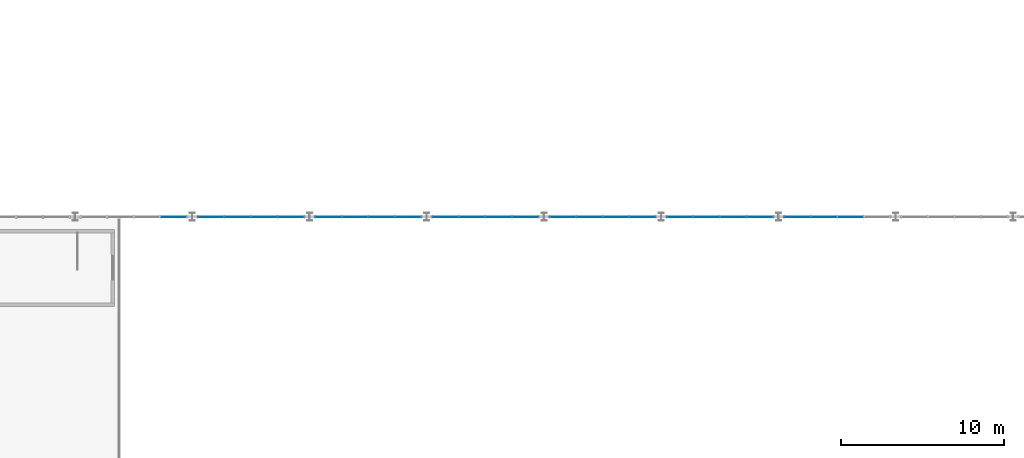
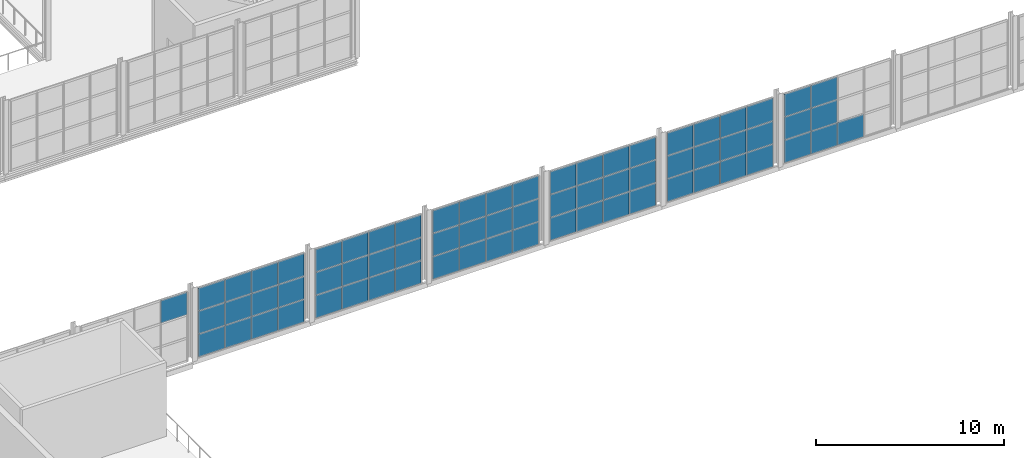
# One storey, part 106 of 143: 68 plates, 7 elements without a shape of their own.
"""IFC4 building model written with IfcOpenShell, lengths in metres."""

from ifc_helpers import new_model, si_unit, derived_unit, direction, frame, origin, origin_2d, place, context, subcontext, project, spatial, rectangle, extrude, material, layer, layer_set, type_object, element, aggregate, save


model = new_model("IFC4")

# Units and contexts
model_context = context("Model", 3, precision=1e-05, world=origin(), true_north=direction((0.0, 1.0)))
body_context = subcontext(model_context, "Body", "Model", "MODEL_VIEW")
ifc_project = project(units=[si_unit("LENGTHUNIT", "METRE"), si_unit("AREAUNIT", "SQUARE_METRE"), si_unit("VOLUMEUNIT", "CUBIC_METRE"), si_unit("PLANEANGLEUNIT", "RADIAN"), si_unit("MASSUNIT", "GRAM", prefix="KILO"), derived_unit("THERMALTRANSMITTANCEUNIT", [(si_unit("POWERUNIT", "WATT"), 1), (si_unit("LENGTHUNIT", "METRE"), -2), (si_unit("THERMODYNAMICTEMPERATUREUNIT", "KELVIN"), -1)])], contexts=[model_context])

# Site, building, storey
site_placement = place(None, origin())
site = spatial("IfcSite", under=ifc_project, at=site_placement, CompositionType="ELEMENT")
building_placement = place(site_placement, origin())
building = spatial("IfcBuilding", under=site, at=building_placement, Name="Keldorne Ridge Multi-Sports Centre", CompositionType="ELEMENT")
storey_placement = place(building_placement, frame((0.0, 0.0, 4.800048828125)))
storey = spatial("IfcBuildingStorey", under=building, at=storey_placement, Name="L01", CompositionType="ELEMENT", Elevation=4.800048828125)

# Curtain wall, plate
ifc_material_1 = material(Name="Anodized aluminium", Category="aluminium")
curtain_wall_type_1 = type_object("IfcCurtainWallType", Name="CW-CW-06", PredefinedType="NOTDEFINED", material=ifc_material_1)
curtain_wall_1_placement = place(storey_placement, origin())
curtain_wall_1 = element("IfcCurtainWall", 1, at=curtain_wall_1_placement, inside=storey, type_object=curtain_wall_type_1, Name="Main Hall north clerestory curtain wall 006", PredefinedType="NOTDEFINED")
ifc_material_2 = material(Name="Double low-e insulated glazing", Category="glass")
ifc_layer = layer(ifc_material_2, 0.035888671875)
ifc_layer_set = layer_set([ifc_layer])
plate_type = type_object("IfcPlateType", Name="PLT-GL-01", PredefinedType="CURTAIN_PANEL", material=ifc_layer_set)
plate_1_placement = place(storey_placement, frame((19.2451171875, 54.0, 3.02001953125), z_axis=(0.0, 0.0, 1.0), x_axis=(-1.0, 0.0, 0.0)))
plate_1 = element("IfcPlate", 2, at=plate_1_placement, type_object=plate_type, Name="CW-006 glazed panel 1.3", PredefinedType="CURTAIN_PANEL", context=body_context, shape_type="SweptSolid", body=[
    extrude(rectangle(XDim=1.590087890625, YDim=0.035888671875, at=origin_2d()), origin(), (0.0, 0.0, 1.0), 1.4599609375),
])
aggregate(curtain_wall_1, [plate_1])

# Curtain wall, plates
curtain_wall_type_2 = type_object("IfcCurtainWallType", Name="CW-CW-01", PredefinedType="NOTDEFINED", material=ifc_material_1)
curtain_wall_2_placement = place(storey_placement, origin())
curtain_wall_2 = element("IfcCurtainWall", 3, at=curtain_wall_2_placement, inside=storey, type_object=curtain_wall_type_2, Name="Main Hall north clerestory curtain wall 009", PredefinedType="NOTDEFINED")
plate_2_placement = place(storey_placement, frame((26.445068359375, 54.0, 0.02001953125), z_axis=(0.0, 0.0, 1.0), x_axis=(-1.0, 0.0, 0.0)))
plate_2 = element("IfcPlate", 4, at=plate_2_placement, type_object=plate_type, Name="CW-009 glazed panel 1.1", PredefinedType="CURTAIN_PANEL", context=body_context, shape_type="SweptSolid", body=[
    extrude(rectangle(XDim=1.590087890625, YDim=0.035888671875, at=origin_2d()), origin(), (0.0, 0.0, 1.0), 1.4599609375),
])
plate_3_placement = place(storey_placement, frame((26.445068359375, 54.0, 1.52001953125), z_axis=(0.0, 0.0, 1.0), x_axis=(-1.0, 0.0, 0.0)))
plate_3 = element("IfcPlate", 5, at=plate_3_placement, type_object=plate_type, Name="CW-009 glazed panel 1.2", PredefinedType="CURTAIN_PANEL", context=body_context, shape_type="SweptSolid", body=[
    extrude(rectangle(XDim=1.590087890625, YDim=0.035888671875, at=origin_2d()), origin(), (0.0, 0.0, 1.0), 1.4599609375),
])
plate_4_placement = place(storey_placement, frame((26.445068359375, 54.0, 3.02001953125), z_axis=(0.0, 0.0, 1.0), x_axis=(-1.0, 0.0, 0.0)))
plate_4 = element("IfcPlate", 6, at=plate_4_placement, type_object=plate_type, Name="CW-009 glazed panel 1.3", PredefinedType="CURTAIN_PANEL", context=body_context, shape_type="SweptSolid", body=[
    extrude(rectangle(XDim=1.590087890625, YDim=0.035888671875, at=origin_2d()), origin(), (0.0, 0.0, 1.0), 1.4599609375),
])
plate_5_placement = place(storey_placement, frame((24.81494140625, 54.0, 0.02001953125), z_axis=(0.0, 0.0, 1.0), x_axis=(-1.0, 0.0, 0.0)))
plate_5 = element("IfcPlate", 7, at=plate_5_placement, type_object=plate_type, Name="CW-009 glazed panel 2.1", PredefinedType="CURTAIN_PANEL", context=body_context, shape_type="SweptSolid", body=[
    extrude(rectangle(XDim=1.590087890625, YDim=0.035888671875, at=origin_2d()), origin(), (0.0, 0.0, 1.0), 1.4599609375),
])
plate_6_placement = place(storey_placement, frame((24.81494140625, 54.0, 1.52001953125), z_axis=(0.0, 0.0, 1.0), x_axis=(-1.0, 0.0, 0.0)))
plate_6 = element("IfcPlate", 8, at=plate_6_placement, type_object=plate_type, Name="CW-009 glazed panel 2.2", PredefinedType="CURTAIN_PANEL", context=body_context, shape_type="SweptSolid", body=[
    extrude(rectangle(XDim=1.590087890625, YDim=0.035888671875, at=origin_2d()), origin(), (0.0, 0.0, 1.0), 1.4599609375),
])
plate_7_placement = place(storey_placement, frame((24.81494140625, 54.0, 3.02001953125), z_axis=(0.0, 0.0, 1.0), x_axis=(-1.0, 0.0, 0.0)))
plate_7 = element("IfcPlate", 9, at=plate_7_placement, type_object=plate_type, Name="CW-009 glazed panel 2.3", PredefinedType="CURTAIN_PANEL", context=body_context, shape_type="SweptSolid", body=[
    extrude(rectangle(XDim=1.590087890625, YDim=0.035888671875, at=origin_2d()), origin(), (0.0, 0.0, 1.0), 1.4599609375),
])
plate_8_placement = place(storey_placement, frame((23.18505859375, 54.0, 0.02001953125), z_axis=(0.0, 0.0, 1.0), x_axis=(-1.0, 0.0, 0.0)))
plate_8 = element("IfcPlate", 10, at=plate_8_placement, type_object=plate_type, Name="CW-009 glazed panel 3.1", PredefinedType="CURTAIN_PANEL", context=body_context, shape_type="SweptSolid", body=[
    extrude(rectangle(XDim=1.590087890625, YDim=0.035888671875, at=origin_2d()), origin(), (0.0, 0.0, 1.0), 1.4599609375),
])
plate_9_placement = place(storey_placement, frame((23.18505859375, 54.0, 1.52001953125), z_axis=(0.0, 0.0, 1.0), x_axis=(-1.0, 0.0, 0.0)))
plate_9 = element("IfcPlate", 11, at=plate_9_placement, type_object=plate_type, Name="CW-009 glazed panel 3.2", PredefinedType="CURTAIN_PANEL", context=body_context, shape_type="SweptSolid", body=[
    extrude(rectangle(XDim=1.590087890625, YDim=0.035888671875, at=origin_2d()), origin(), (0.0, 0.0, 1.0), 1.4599609375),
])
plate_10_placement = place(storey_placement, frame((23.18505859375, 54.0, 3.02001953125), z_axis=(0.0, 0.0, 1.0), x_axis=(-1.0, 0.0, 0.0)))
plate_10 = element("IfcPlate", 12, at=plate_10_placement, type_object=plate_type, Name="CW-009 glazed panel 3.3", PredefinedType="CURTAIN_PANEL", context=body_context, shape_type="SweptSolid", body=[
    extrude(rectangle(XDim=1.590087890625, YDim=0.035888671875, at=origin_2d()), origin(), (0.0, 0.0, 1.0), 1.4599609375),
])
plate_11_placement = place(storey_placement, frame((21.554931640625, 54.0, 0.02001953125), z_axis=(0.0, 0.0, 1.0), x_axis=(-1.0, 0.0, 0.0)))
plate_11 = element("IfcPlate", 13, at=plate_11_placement, type_object=plate_type, Name="CW-009 glazed panel 4.1", PredefinedType="CURTAIN_PANEL", context=body_context, shape_type="SweptSolid", body=[
    extrude(rectangle(XDim=1.590087890625, YDim=0.035888671875, at=origin_2d()), origin(), (0.0, 0.0, 1.0), 1.4599609375),
])
plate_12_placement = place(storey_placement, frame((21.554931640625, 54.0, 1.52001953125), z_axis=(0.0, 0.0, 1.0), x_axis=(-1.0, 0.0, 0.0)))
plate_12 = element("IfcPlate", 14, at=plate_12_placement, type_object=plate_type, Name="CW-009 glazed panel 4.2", PredefinedType="CURTAIN_PANEL", context=body_context, shape_type="SweptSolid", body=[
    extrude(rectangle(XDim=1.590087890625, YDim=0.035888671875, at=origin_2d()), origin(), (0.0, 0.0, 1.0), 1.4599609375),
])
plate_13_placement = place(storey_placement, frame((21.554931640625, 54.0, 3.02001953125), z_axis=(0.0, 0.0, 1.0), x_axis=(-1.0, 0.0, 0.0)))
plate_13 = element("IfcPlate", 15, at=plate_13_placement, type_object=plate_type, Name="CW-009 glazed panel 4.3", PredefinedType="CURTAIN_PANEL", context=body_context, shape_type="SweptSolid", body=[
    extrude(rectangle(XDim=1.590087890625, YDim=0.035888671875, at=origin_2d()), origin(), (0.0, 0.0, 1.0), 1.4599609375),
])
aggregate(curtain_wall_2, [plate_2, plate_3, plate_4, plate_5, plate_6, plate_7, plate_8, plate_9, plate_10, plate_11, plate_12, plate_13])

curtain_wall_type_3 = type_object("IfcCurtainWallType", Name="CW-CW-04", PredefinedType="NOTDEFINED", material=ifc_material_1)
curtain_wall_3_placement = place(storey_placement, origin())
curtain_wall_3 = element("IfcCurtainWall", 16, at=curtain_wall_3_placement, inside=storey, type_object=curtain_wall_type_3, Name="Main Hall north clerestory curtain wall 012", PredefinedType="NOTDEFINED")
plate_14_placement = place(storey_placement, frame((33.64501953125, 54.0, 0.02001953125), z_axis=(0.0, 0.0, 1.0), x_axis=(-1.0, 0.0, 0.0)))
plate_14 = element("IfcPlate", 17, at=plate_14_placement, type_object=plate_type, Name="CW-012 glazed panel 1.1", PredefinedType="CURTAIN_PANEL", context=body_context, shape_type="SweptSolid", body=[
    extrude(rectangle(XDim=1.590087890625, YDim=0.035888671875, at=origin_2d()), origin(), (0.0, 0.0, 1.0), 1.4599609375),
])
plate_15_placement = place(storey_placement, frame((33.64501953125, 54.0, 1.52001953125), z_axis=(0.0, 0.0, 1.0), x_axis=(-1.0, 0.0, 0.0)))
plate_15 = element("IfcPlate", 18, at=plate_15_placement, type_object=plate_type, Name="CW-012 glazed panel 1.2", PredefinedType="CURTAIN_PANEL", context=body_context, shape_type="SweptSolid", body=[
    extrude(rectangle(XDim=1.590087890625, YDim=0.035888671875, at=origin_2d()), origin(), (0.0, 0.0, 1.0), 1.4599609375),
])
plate_16_placement = place(storey_placement, frame((33.64501953125, 54.0, 3.02001953125), z_axis=(0.0, 0.0, 1.0), x_axis=(-1.0, 0.0, 0.0)))
plate_16 = element("IfcPlate", 19, at=plate_16_placement, type_object=plate_type, Name="CW-012 glazed panel 1.3", PredefinedType="CURTAIN_PANEL", context=body_context, shape_type="SweptSolid", body=[
    extrude(rectangle(XDim=1.590087890625, YDim=0.035888671875, at=origin_2d()), origin(), (0.0, 0.0, 1.0), 1.4599609375),
])
plate_17_placement = place(storey_placement, frame((32.014892578125, 54.0, 0.02001953125), z_axis=(0.0, 0.0, 1.0), x_axis=(-1.0, 0.0, 0.0)))
plate_17 = element("IfcPlate", 20, at=plate_17_placement, type_object=plate_type, Name="CW-012 glazed panel 2.1", PredefinedType="CURTAIN_PANEL", context=body_context, shape_type="SweptSolid", body=[
    extrude(rectangle(XDim=1.590087890625, YDim=0.035888671875, at=origin_2d()), origin(), (0.0, 0.0, 1.0), 1.4599609375),
])
plate_18_placement = place(storey_placement, frame((32.014892578125, 54.0, 1.52001953125), z_axis=(0.0, 0.0, 1.0), x_axis=(-1.0, 0.0, 0.0)))
plate_18 = element("IfcPlate", 21, at=plate_18_placement, type_object=plate_type, Name="CW-012 glazed panel 2.2", PredefinedType="CURTAIN_PANEL", context=body_context, shape_type="SweptSolid", body=[
    extrude(rectangle(XDim=1.590087890625, YDim=0.035888671875, at=origin_2d()), origin(), (0.0, 0.0, 1.0), 1.4599609375),
])
plate_19_placement = place(storey_placement, frame((32.014892578125, 54.0, 3.02001953125), z_axis=(0.0, 0.0, 1.0), x_axis=(-1.0, 0.0, 0.0)))
plate_19 = element("IfcPlate", 22, at=plate_19_placement, type_object=plate_type, Name="CW-012 glazed panel 2.3", PredefinedType="CURTAIN_PANEL", context=body_context, shape_type="SweptSolid", body=[
    extrude(rectangle(XDim=1.590087890625, YDim=0.035888671875, at=origin_2d()), origin(), (0.0, 0.0, 1.0), 1.4599609375),
])
plate_20_placement = place(storey_placement, frame((30.385009765625, 54.0, 0.02001953125), z_axis=(0.0, 0.0, 1.0), x_axis=(-1.0, 0.0, 0.0)))
plate_20 = element("IfcPlate", 23, at=plate_20_placement, type_object=plate_type, Name="CW-012 glazed panel 3.1", PredefinedType="CURTAIN_PANEL", context=body_context, shape_type="SweptSolid", body=[
    extrude(rectangle(XDim=1.590087890625, YDim=0.035888671875, at=origin_2d()), origin(), (0.0, 0.0, 1.0), 1.4599609375),
])
plate_21_placement = place(storey_placement, frame((30.385009765625, 54.0, 1.52001953125), z_axis=(0.0, 0.0, 1.0), x_axis=(-1.0, 0.0, 0.0)))
plate_21 = element("IfcPlate", 24, at=plate_21_placement, type_object=plate_type, Name="CW-012 glazed panel 3.2", PredefinedType="CURTAIN_PANEL", context=body_context, shape_type="SweptSolid", body=[
    extrude(rectangle(XDim=1.590087890625, YDim=0.035888671875, at=origin_2d()), origin(), (0.0, 0.0, 1.0), 1.4599609375),
])
plate_22_placement = place(storey_placement, frame((30.385009765625, 54.0, 3.02001953125), z_axis=(0.0, 0.0, 1.0), x_axis=(-1.0, 0.0, 0.0)))
plate_22 = element("IfcPlate", 25, at=plate_22_placement, type_object=plate_type, Name="CW-012 glazed panel 3.3", PredefinedType="CURTAIN_PANEL", context=body_context, shape_type="SweptSolid", body=[
    extrude(rectangle(XDim=1.590087890625, YDim=0.035888671875, at=origin_2d()), origin(), (0.0, 0.0, 1.0), 1.4599609375),
])
plate_23_placement = place(storey_placement, frame((28.7548828125, 54.0, 0.02001953125), z_axis=(0.0, 0.0, 1.0), x_axis=(-1.0, 0.0, 0.0)))
plate_23 = element("IfcPlate", 26, at=plate_23_placement, type_object=plate_type, Name="CW-012 glazed panel 4.1", PredefinedType="CURTAIN_PANEL", context=body_context, shape_type="SweptSolid", body=[
    extrude(rectangle(XDim=1.590087890625, YDim=0.035888671875, at=origin_2d()), origin(), (0.0, 0.0, 1.0), 1.4599609375),
])
plate_24_placement = place(storey_placement, frame((28.7548828125, 54.0, 1.52001953125), z_axis=(0.0, 0.0, 1.0), x_axis=(-1.0, 0.0, 0.0)))
plate_24 = element("IfcPlate", 27, at=plate_24_placement, type_object=plate_type, Name="CW-012 glazed panel 4.2", PredefinedType="CURTAIN_PANEL", context=body_context, shape_type="SweptSolid", body=[
    extrude(rectangle(XDim=1.590087890625, YDim=0.035888671875, at=origin_2d()), origin(), (0.0, 0.0, 1.0), 1.4599609375),
])
plate_25_placement = place(storey_placement, frame((28.7548828125, 54.0, 3.02001953125), z_axis=(0.0, 0.0, 1.0), x_axis=(-1.0, 0.0, 0.0)))
plate_25 = element("IfcPlate", 28, at=plate_25_placement, type_object=plate_type, Name="CW-012 glazed panel 4.3", PredefinedType="CURTAIN_PANEL", context=body_context, shape_type="SweptSolid", body=[
    extrude(rectangle(XDim=1.590087890625, YDim=0.035888671875, at=origin_2d()), origin(), (0.0, 0.0, 1.0), 1.4599609375),
])
aggregate(curtain_wall_3, [plate_14, plate_15, plate_16, plate_17, plate_18, plate_19, plate_20, plate_21, plate_22, plate_23, plate_24, plate_25])

curtain_wall_4_placement = place(storey_placement, origin())
curtain_wall_4 = element("IfcCurtainWall", 29, at=curtain_wall_4_placement, inside=storey, type_object=curtain_wall_type_1, Name="Main Hall north clerestory curtain wall 014", PredefinedType="NOTDEFINED")
plate_26_placement = place(storey_placement, frame((40.844970703125, 54.0, 0.02001953125), z_axis=(0.0, 0.0, 1.0), x_axis=(-1.0, 0.0, 0.0)))
plate_26 = element("IfcPlate", 30, at=plate_26_placement, type_object=plate_type, Name="CW-014 glazed panel 1.1", PredefinedType="CURTAIN_PANEL", context=body_context, shape_type="SweptSolid", body=[
    extrude(rectangle(XDim=1.590087890625, YDim=0.035888671875, at=origin_2d()), origin(), (0.0, 0.0, 1.0), 1.4599609375),
])
plate_27_placement = place(storey_placement, frame((40.844970703125, 54.0, 1.52001953125), z_axis=(0.0, 0.0, 1.0), x_axis=(-1.0, 0.0, 0.0)))
plate_27 = element("IfcPlate", 31, at=plate_27_placement, type_object=plate_type, Name="CW-014 glazed panel 1.2", PredefinedType="CURTAIN_PANEL", context=body_context, shape_type="SweptSolid", body=[
    extrude(rectangle(XDim=1.590087890625, YDim=0.035888671875, at=origin_2d()), origin(), (0.0, 0.0, 1.0), 1.4599609375),
])
plate_28_placement = place(storey_placement, frame((40.844970703125, 54.0, 3.02001953125), z_axis=(0.0, 0.0, 1.0), x_axis=(-1.0, 0.0, 0.0)))
plate_28 = element("IfcPlate", 32, at=plate_28_placement, type_object=plate_type, Name="CW-014 glazed panel 1.3", PredefinedType="CURTAIN_PANEL", context=body_context, shape_type="SweptSolid", body=[
    extrude(rectangle(XDim=1.590087890625, YDim=0.035888671875, at=origin_2d()), origin(), (0.0, 0.0, 1.0), 1.4599609375),
])
plate_29_placement = place(storey_placement, frame((39.215087890625, 54.0, 0.02001953125), z_axis=(0.0, 0.0, 1.0), x_axis=(-1.0, 0.0, 0.0)))
plate_29 = element("IfcPlate", 33, at=plate_29_placement, type_object=plate_type, Name="CW-014 glazed panel 2.1", PredefinedType="CURTAIN_PANEL", context=body_context, shape_type="SweptSolid", body=[
    extrude(rectangle(XDim=1.590087890625, YDim=0.035888671875, at=origin_2d()), origin(), (0.0, 0.0, 1.0), 1.4599609375),
])
plate_30_placement = place(storey_placement, frame((39.215087890625, 54.0, 1.52001953125), z_axis=(0.0, 0.0, 1.0), x_axis=(-1.0, 0.0, 0.0)))
plate_30 = element("IfcPlate", 34, at=plate_30_placement, type_object=plate_type, Name="CW-014 glazed panel 2.2", PredefinedType="CURTAIN_PANEL", context=body_context, shape_type="SweptSolid", body=[
    extrude(rectangle(XDim=1.590087890625, YDim=0.035888671875, at=origin_2d()), origin(), (0.0, 0.0, 1.0), 1.4599609375),
])
plate_31_placement = place(storey_placement, frame((39.215087890625, 54.0, 3.02001953125), z_axis=(0.0, 0.0, 1.0), x_axis=(-1.0, 0.0, 0.0)))
plate_31 = element("IfcPlate", 35, at=plate_31_placement, type_object=plate_type, Name="CW-014 glazed panel 2.3", PredefinedType="CURTAIN_PANEL", context=body_context, shape_type="SweptSolid", body=[
    extrude(rectangle(XDim=1.590087890625, YDim=0.035888671875, at=origin_2d()), origin(), (0.0, 0.0, 1.0), 1.4599609375),
])
plate_32_placement = place(storey_placement, frame((37.5849609375, 54.0, 0.02001953125), z_axis=(0.0, 0.0, 1.0), x_axis=(-1.0, 0.0, 0.0)))
plate_32 = element("IfcPlate", 36, at=plate_32_placement, type_object=plate_type, Name="CW-014 glazed panel 3.1", PredefinedType="CURTAIN_PANEL", context=body_context, shape_type="SweptSolid", body=[
    extrude(rectangle(XDim=1.590087890625, YDim=0.035888671875, at=origin_2d()), origin(), (0.0, 0.0, 1.0), 1.4599609375),
])
plate_33_placement = place(storey_placement, frame((37.5849609375, 54.0, 1.52001953125), z_axis=(0.0, 0.0, 1.0), x_axis=(-1.0, 0.0, 0.0)))
plate_33 = element("IfcPlate", 37, at=plate_33_placement, type_object=plate_type, Name="CW-014 glazed panel 3.2", PredefinedType="CURTAIN_PANEL", context=body_context, shape_type="SweptSolid", body=[
    extrude(rectangle(XDim=1.590087890625, YDim=0.035888671875, at=origin_2d()), origin(), (0.0, 0.0, 1.0), 1.4599609375),
])
plate_34_placement = place(storey_placement, frame((37.5849609375, 54.0, 3.02001953125), z_axis=(0.0, 0.0, 1.0), x_axis=(-1.0, 0.0, 0.0)))
plate_34 = element("IfcPlate", 38, at=plate_34_placement, type_object=plate_type, Name="CW-014 glazed panel 3.3", PredefinedType="CURTAIN_PANEL", context=body_context, shape_type="SweptSolid", body=[
    extrude(rectangle(XDim=1.590087890625, YDim=0.035888671875, at=origin_2d()), origin(), (0.0, 0.0, 1.0), 1.4599609375),
])
plate_35_placement = place(storey_placement, frame((35.955078125, 54.0, 0.02001953125), z_axis=(0.0, 0.0, 1.0), x_axis=(-1.0, 0.0, 0.0)))
plate_35 = element("IfcPlate", 39, at=plate_35_placement, type_object=plate_type, Name="CW-014 glazed panel 4.1", PredefinedType="CURTAIN_PANEL", context=body_context, shape_type="SweptSolid", body=[
    extrude(rectangle(XDim=1.590087890625, YDim=0.035888671875, at=origin_2d()), origin(), (0.0, 0.0, 1.0), 1.4599609375),
])
plate_36_placement = place(storey_placement, frame((35.955078125, 54.0, 1.52001953125), z_axis=(0.0, 0.0, 1.0), x_axis=(-1.0, 0.0, 0.0)))
plate_36 = element("IfcPlate", 40, at=plate_36_placement, type_object=plate_type, Name="CW-014 glazed panel 4.2", PredefinedType="CURTAIN_PANEL", context=body_context, shape_type="SweptSolid", body=[
    extrude(rectangle(XDim=1.590087890625, YDim=0.035888671875, at=origin_2d()), origin(), (0.0, 0.0, 1.0), 1.4599609375),
])
plate_37_placement = place(storey_placement, frame((35.955078125, 54.0, 3.02001953125), z_axis=(0.0, 0.0, 1.0), x_axis=(-1.0, 0.0, 0.0)))
plate_37 = element("IfcPlate", 41, at=plate_37_placement, type_object=plate_type, Name="CW-014 glazed panel 4.3", PredefinedType="CURTAIN_PANEL", context=body_context, shape_type="SweptSolid", body=[
    extrude(rectangle(XDim=1.590087890625, YDim=0.035888671875, at=origin_2d()), origin(), (0.0, 0.0, 1.0), 1.4599609375),
])
aggregate(curtain_wall_4, [plate_26, plate_27, plate_28, plate_29, plate_30, plate_31, plate_32, plate_33, plate_34, plate_35, plate_36, plate_37])

curtain_wall_type_4 = type_object("IfcCurtainWallType", Name="CW-CW-08", PredefinedType="NOTDEFINED", material=ifc_material_1)
curtain_wall_5_placement = place(storey_placement, origin())
curtain_wall_5 = element("IfcCurtainWall", 42, at=curtain_wall_5_placement, inside=storey, type_object=curtain_wall_type_4, Name="Main Hall north clerestory curtain wall 016", PredefinedType="NOTDEFINED")
plate_38_placement = place(storey_placement, frame((48.044921875, 54.0, 0.02001953125), z_axis=(0.0, 0.0, 1.0), x_axis=(-1.0, 0.0, 0.0)))
plate_38 = element("IfcPlate", 43, at=plate_38_placement, type_object=plate_type, Name="CW-016 glazed panel 1.1", PredefinedType="CURTAIN_PANEL", context=body_context, shape_type="SweptSolid", body=[
    extrude(rectangle(XDim=1.590087890625, YDim=0.035888671875, at=origin_2d()), origin(), (0.0, 0.0, 1.0), 1.4599609375),
])
plate_39_placement = place(storey_placement, frame((48.044921875, 54.0, 1.52001953125), z_axis=(0.0, 0.0, 1.0), x_axis=(-1.0, 0.0, 0.0)))
plate_39 = element("IfcPlate", 44, at=plate_39_placement, type_object=plate_type, Name="CW-016 glazed panel 1.2", PredefinedType="CURTAIN_PANEL", context=body_context, shape_type="SweptSolid", body=[
    extrude(rectangle(XDim=1.590087890625, YDim=0.035888671875, at=origin_2d()), origin(), (0.0, 0.0, 1.0), 1.4599609375),
])
plate_40_placement = place(storey_placement, frame((48.044921875, 54.0, 3.02001953125), z_axis=(0.0, 0.0, 1.0), x_axis=(-1.0, 0.0, 0.0)))
plate_40 = element("IfcPlate", 45, at=plate_40_placement, type_object=plate_type, Name="CW-016 glazed panel 1.3", PredefinedType="CURTAIN_PANEL", context=body_context, shape_type="SweptSolid", body=[
    extrude(rectangle(XDim=1.590087890625, YDim=0.035888671875, at=origin_2d()), origin(), (0.0, 0.0, 1.0), 1.4599609375),
])
plate_41_placement = place(storey_placement, frame((46.4150390625, 54.0, 0.02001953125), z_axis=(0.0, 0.0, 1.0), x_axis=(-1.0, 0.0, 0.0)))
plate_41 = element("IfcPlate", 46, at=plate_41_placement, type_object=plate_type, Name="CW-016 glazed panel 2.1", PredefinedType="CURTAIN_PANEL", context=body_context, shape_type="SweptSolid", body=[
    extrude(rectangle(XDim=1.590087890625, YDim=0.035888671875, at=origin_2d()), origin(), (0.0, 0.0, 1.0), 1.4599609375),
])
plate_42_placement = place(storey_placement, frame((46.4150390625, 54.0, 1.52001953125), z_axis=(0.0, 0.0, 1.0), x_axis=(-1.0, 0.0, 0.0)))
plate_42 = element("IfcPlate", 47, at=plate_42_placement, type_object=plate_type, Name="CW-016 glazed panel 2.2", PredefinedType="CURTAIN_PANEL", context=body_context, shape_type="SweptSolid", body=[
    extrude(rectangle(XDim=1.590087890625, YDim=0.035888671875, at=origin_2d()), origin(), (0.0, 0.0, 1.0), 1.4599609375),
])
plate_43_placement = place(storey_placement, frame((46.4150390625, 54.0, 3.02001953125), z_axis=(0.0, 0.0, 1.0), x_axis=(-1.0, 0.0, 0.0)))
plate_43 = element("IfcPlate", 48, at=plate_43_placement, type_object=plate_type, Name="CW-016 glazed panel 2.3", PredefinedType="CURTAIN_PANEL", context=body_context, shape_type="SweptSolid", body=[
    extrude(rectangle(XDim=1.590087890625, YDim=0.035888671875, at=origin_2d()), origin(), (0.0, 0.0, 1.0), 1.4599609375),
])
plate_44_placement = place(storey_placement, frame((44.784912109375, 54.0, 0.02001953125), z_axis=(0.0, 0.0, 1.0), x_axis=(-1.0, 0.0, 0.0)))
plate_44 = element("IfcPlate", 49, at=plate_44_placement, type_object=plate_type, Name="CW-016 glazed panel 3.1", PredefinedType="CURTAIN_PANEL", context=body_context, shape_type="SweptSolid", body=[
    extrude(rectangle(XDim=1.590087890625, YDim=0.035888671875, at=origin_2d()), origin(), (0.0, 0.0, 1.0), 1.4599609375),
])
plate_45_placement = place(storey_placement, frame((44.784912109375, 54.0, 1.52001953125), z_axis=(0.0, 0.0, 1.0), x_axis=(-1.0, 0.0, 0.0)))
plate_45 = element("IfcPlate", 50, at=plate_45_placement, type_object=plate_type, Name="CW-016 glazed panel 3.2", PredefinedType="CURTAIN_PANEL", context=body_context, shape_type="SweptSolid", body=[
    extrude(rectangle(XDim=1.590087890625, YDim=0.035888671875, at=origin_2d()), origin(), (0.0, 0.0, 1.0), 1.4599609375),
])
plate_46_placement = place(storey_placement, frame((44.784912109375, 54.0, 3.02001953125), z_axis=(0.0, 0.0, 1.0), x_axis=(-1.0, 0.0, 0.0)))
plate_46 = element("IfcPlate", 51, at=plate_46_placement, type_object=plate_type, Name="CW-016 glazed panel 3.3", PredefinedType="CURTAIN_PANEL", context=body_context, shape_type="SweptSolid", body=[
    extrude(rectangle(XDim=1.590087890625, YDim=0.035888671875, at=origin_2d()), origin(), (0.0, 0.0, 1.0), 1.4599609375),
])
plate_47_placement = place(storey_placement, frame((43.155029296875, 54.0, 0.02001953125), z_axis=(0.0, 0.0, 1.0), x_axis=(-1.0, 0.0, 0.0)))
plate_47 = element("IfcPlate", 52, at=plate_47_placement, type_object=plate_type, Name="CW-016 glazed panel 4.1", PredefinedType="CURTAIN_PANEL", context=body_context, shape_type="SweptSolid", body=[
    extrude(rectangle(XDim=1.590087890625, YDim=0.035888671875, at=origin_2d()), origin(), (0.0, 0.0, 1.0), 1.4599609375),
])
plate_48_placement = place(storey_placement, frame((43.155029296875, 54.0, 1.52001953125), z_axis=(0.0, 0.0, 1.0), x_axis=(-1.0, 0.0, 0.0)))
plate_48 = element("IfcPlate", 53, at=plate_48_placement, type_object=plate_type, Name="CW-016 glazed panel 4.2", PredefinedType="CURTAIN_PANEL", context=body_context, shape_type="SweptSolid", body=[
    extrude(rectangle(XDim=1.590087890625, YDim=0.035888671875, at=origin_2d()), origin(), (0.0, 0.0, 1.0), 1.4599609375),
])
plate_49_placement = place(storey_placement, frame((43.155029296875, 54.0, 3.02001953125), z_axis=(0.0, 0.0, 1.0), x_axis=(-1.0, 0.0, 0.0)))
plate_49 = element("IfcPlate", 54, at=plate_49_placement, type_object=plate_type, Name="CW-016 glazed panel 4.3", PredefinedType="CURTAIN_PANEL", context=body_context, shape_type="SweptSolid", body=[
    extrude(rectangle(XDim=1.590087890625, YDim=0.035888671875, at=origin_2d()), origin(), (0.0, 0.0, 1.0), 1.4599609375),
])
aggregate(curtain_wall_5, [plate_38, plate_39, plate_40, plate_41, plate_42, plate_43, plate_44, plate_45, plate_46, plate_47, plate_48, plate_49])

curtain_wall_type_5 = type_object("IfcCurtainWallType", Name="CW-CW-03", PredefinedType="NOTDEFINED", material=ifc_material_1)
curtain_wall_6_placement = place(storey_placement, origin())
curtain_wall_6 = element("IfcCurtainWall", 55, at=curtain_wall_6_placement, inside=storey, type_object=curtain_wall_type_5, Name="Main Hall north clerestory curtain wall 019", PredefinedType="NOTDEFINED")
plate_50_placement = place(storey_placement, frame((55.2451171875, 54.0, 0.02001953125), z_axis=(0.0, 0.0, 1.0), x_axis=(-1.0, 0.0, 0.0)))
plate_50 = element("IfcPlate", 56, at=plate_50_placement, type_object=plate_type, Name="CW-019 glazed panel 1.1", PredefinedType="CURTAIN_PANEL", context=body_context, shape_type="SweptSolid", body=[
    extrude(rectangle(XDim=1.590087890625, YDim=0.035888671875, at=origin_2d()), origin(), (0.0, 0.0, 1.0), 1.4599609375),
])
plate_51_placement = place(storey_placement, frame((55.2451171875, 54.0, 1.52001953125), z_axis=(0.0, 0.0, 1.0), x_axis=(-1.0, 0.0, 0.0)))
plate_51 = element("IfcPlate", 57, at=plate_51_placement, type_object=plate_type, Name="CW-019 glazed panel 1.2", PredefinedType="CURTAIN_PANEL", context=body_context, shape_type="SweptSolid", body=[
    extrude(rectangle(XDim=1.590087890625, YDim=0.035888671875, at=origin_2d()), origin(), (0.0, 0.0, 1.0), 1.4599609375),
])
plate_52_placement = place(storey_placement, frame((55.2451171875, 54.0, 3.02001953125), z_axis=(0.0, 0.0, 1.0), x_axis=(-1.0, 0.0, 0.0)))
plate_52 = element("IfcPlate", 58, at=plate_52_placement, type_object=plate_type, Name="CW-019 glazed panel 1.3", PredefinedType="CURTAIN_PANEL", context=body_context, shape_type="SweptSolid", body=[
    extrude(rectangle(XDim=1.590087890625, YDim=0.035888671875, at=origin_2d()), origin(), (0.0, 0.0, 1.0), 1.4599609375),
])
plate_53_placement = place(storey_placement, frame((53.614990234375, 54.0, 0.02001953125), z_axis=(0.0, 0.0, 1.0), x_axis=(-1.0, 0.0, 0.0)))
plate_53 = element("IfcPlate", 59, at=plate_53_placement, type_object=plate_type, Name="CW-019 glazed panel 2.1", PredefinedType="CURTAIN_PANEL", context=body_context, shape_type="SweptSolid", body=[
    extrude(rectangle(XDim=1.590087890625, YDim=0.035888671875, at=origin_2d()), origin(), (0.0, 0.0, 1.0), 1.4599609375),
])
plate_54_placement = place(storey_placement, frame((53.614990234375, 54.0, 1.52001953125), z_axis=(0.0, 0.0, 1.0), x_axis=(-1.0, 0.0, 0.0)))
plate_54 = element("IfcPlate", 60, at=plate_54_placement, type_object=plate_type, Name="CW-019 glazed panel 2.2", PredefinedType="CURTAIN_PANEL", context=body_context, shape_type="SweptSolid", body=[
    extrude(rectangle(XDim=1.590087890625, YDim=0.035888671875, at=origin_2d()), origin(), (0.0, 0.0, 1.0), 1.4599609375),
])
plate_55_placement = place(storey_placement, frame((53.614990234375, 54.0, 3.02001953125), z_axis=(0.0, 0.0, 1.0), x_axis=(-1.0, 0.0, 0.0)))
plate_55 = element("IfcPlate", 61, at=plate_55_placement, type_object=plate_type, Name="CW-019 glazed panel 2.3", PredefinedType="CURTAIN_PANEL", context=body_context, shape_type="SweptSolid", body=[
    extrude(rectangle(XDim=1.590087890625, YDim=0.035888671875, at=origin_2d()), origin(), (0.0, 0.0, 1.0), 1.4599609375),
])
plate_56_placement = place(storey_placement, frame((51.985107421875, 54.0, 0.02001953125), z_axis=(0.0, 0.0, 1.0), x_axis=(-1.0, 0.0, 0.0)))
plate_56 = element("IfcPlate", 62, at=plate_56_placement, type_object=plate_type, Name="CW-019 glazed panel 3.1", PredefinedType="CURTAIN_PANEL", context=body_context, shape_type="SweptSolid", body=[
    extrude(rectangle(XDim=1.590087890625, YDim=0.035888671875, at=origin_2d()), origin(), (0.0, 0.0, 1.0), 1.4599609375),
])
plate_57_placement = place(storey_placement, frame((51.985107421875, 54.0, 1.52001953125), z_axis=(0.0, 0.0, 1.0), x_axis=(-1.0, 0.0, 0.0)))
plate_57 = element("IfcPlate", 63, at=plate_57_placement, type_object=plate_type, Name="CW-019 glazed panel 3.2", PredefinedType="CURTAIN_PANEL", context=body_context, shape_type="SweptSolid", body=[
    extrude(rectangle(XDim=1.590087890625, YDim=0.035888671875, at=origin_2d()), origin(), (0.0, 0.0, 1.0), 1.4599609375),
])
plate_58_placement = place(storey_placement, frame((51.985107421875, 54.0, 3.02001953125), z_axis=(0.0, 0.0, 1.0), x_axis=(-1.0, 0.0, 0.0)))
plate_58 = element("IfcPlate", 64, at=plate_58_placement, type_object=plate_type, Name="CW-019 glazed panel 3.3", PredefinedType="CURTAIN_PANEL", context=body_context, shape_type="SweptSolid", body=[
    extrude(rectangle(XDim=1.590087890625, YDim=0.035888671875, at=origin_2d()), origin(), (0.0, 0.0, 1.0), 1.4599609375),
])
plate_59_placement = place(storey_placement, frame((50.35498046875, 54.0, 0.02001953125), z_axis=(0.0, 0.0, 1.0), x_axis=(-1.0, 0.0, 0.0)))
plate_59 = element("IfcPlate", 65, at=plate_59_placement, type_object=plate_type, Name="CW-019 glazed panel 4.1", PredefinedType="CURTAIN_PANEL", context=body_context, shape_type="SweptSolid", body=[
    extrude(rectangle(XDim=1.590087890625, YDim=0.035888671875, at=origin_2d()), origin(), (0.0, 0.0, 1.0), 1.4599609375),
])
plate_60_placement = place(storey_placement, frame((50.35498046875, 54.0, 1.52001953125), z_axis=(0.0, 0.0, 1.0), x_axis=(-1.0, 0.0, 0.0)))
plate_60 = element("IfcPlate", 66, at=plate_60_placement, type_object=plate_type, Name="CW-019 glazed panel 4.2", PredefinedType="CURTAIN_PANEL", context=body_context, shape_type="SweptSolid", body=[
    extrude(rectangle(XDim=1.590087890625, YDim=0.035888671875, at=origin_2d()), origin(), (0.0, 0.0, 1.0), 1.4599609375),
])
plate_61_placement = place(storey_placement, frame((50.35498046875, 54.0, 3.02001953125), z_axis=(0.0, 0.0, 1.0), x_axis=(-1.0, 0.0, 0.0)))
plate_61 = element("IfcPlate", 67, at=plate_61_placement, type_object=plate_type, Name="CW-019 glazed panel 4.3", PredefinedType="CURTAIN_PANEL", context=body_context, shape_type="SweptSolid", body=[
    extrude(rectangle(XDim=1.590087890625, YDim=0.035888671875, at=origin_2d()), origin(), (0.0, 0.0, 1.0), 1.4599609375),
])
aggregate(curtain_wall_6, [plate_50, plate_51, plate_52, plate_53, plate_54, plate_55, plate_56, plate_57, plate_58, plate_59, plate_60, plate_61])

curtain_wall_7_placement = place(storey_placement, origin())
curtain_wall_7 = element("IfcCurtainWall", 68, at=curtain_wall_7_placement, inside=storey, type_object=curtain_wall_type_1, Name="Main Hall north clerestory curtain wall 022", PredefinedType="NOTDEFINED")
plate_62_placement = place(storey_placement, frame((60.81494140625, 54.0, 0.02001953125), z_axis=(0.0, 0.0, 1.0), x_axis=(-1.0, 0.0, 0.0)))
plate_62 = element("IfcPlate", 69, at=plate_62_placement, type_object=plate_type, Name="CW-022 glazed panel 2.1", PredefinedType="CURTAIN_PANEL", context=body_context, shape_type="SweptSolid", body=[
    extrude(rectangle(XDim=1.590087890625, YDim=0.035888671875, at=origin_2d()), origin(), (0.0, 0.0, 1.0), 1.4599609375),
])
plate_63_placement = place(storey_placement, frame((59.18505859375, 54.0, 0.02001953125), z_axis=(0.0, 0.0, 1.0), x_axis=(-1.0, 0.0, 0.0)))
plate_63 = element("IfcPlate", 70, at=plate_63_placement, type_object=plate_type, Name="CW-022 glazed panel 3.1", PredefinedType="CURTAIN_PANEL", context=body_context, shape_type="SweptSolid", body=[
    extrude(rectangle(XDim=1.590087890625, YDim=0.035888671875, at=origin_2d()), origin(), (0.0, 0.0, 1.0), 1.4599609375),
])
plate_64_placement = place(storey_placement, frame((59.18505859375, 54.0, 1.52001953125), z_axis=(0.0, 0.0, 1.0), x_axis=(-1.0, 0.0, 0.0)))
plate_64 = element("IfcPlate", 71, at=plate_64_placement, type_object=plate_type, Name="CW-022 glazed panel 3.2", PredefinedType="CURTAIN_PANEL", context=body_context, shape_type="SweptSolid", body=[
    extrude(rectangle(XDim=1.590087890625, YDim=0.035888671875, at=origin_2d()), origin(), (0.0, 0.0, 1.0), 1.4599609375),
])
plate_65_placement = place(storey_placement, frame((59.18505859375, 54.0, 3.02001953125), z_axis=(0.0, 0.0, 1.0), x_axis=(-1.0, 0.0, 0.0)))
plate_65 = element("IfcPlate", 72, at=plate_65_placement, type_object=plate_type, Name="CW-022 glazed panel 3.3", PredefinedType="CURTAIN_PANEL", context=body_context, shape_type="SweptSolid", body=[
    extrude(rectangle(XDim=1.590087890625, YDim=0.035888671875, at=origin_2d()), origin(), (0.0, 0.0, 1.0), 1.4599609375),
])
plate_66_placement = place(storey_placement, frame((57.554931640625, 54.0, 0.02001953125), z_axis=(0.0, 0.0, 1.0), x_axis=(-1.0, 0.0, 0.0)))
plate_66 = element("IfcPlate", 73, at=plate_66_placement, type_object=plate_type, Name="CW-022 glazed panel 4.1", PredefinedType="CURTAIN_PANEL", context=body_context, shape_type="SweptSolid", body=[
    extrude(rectangle(XDim=1.590087890625, YDim=0.035888671875, at=origin_2d()), origin(), (0.0, 0.0, 1.0), 1.4599609375),
])
plate_67_placement = place(storey_placement, frame((57.554931640625, 54.0, 1.52001953125), z_axis=(0.0, 0.0, 1.0), x_axis=(-1.0, 0.0, 0.0)))
plate_67 = element("IfcPlate", 74, at=plate_67_placement, type_object=plate_type, Name="CW-022 glazed panel 4.2", PredefinedType="CURTAIN_PANEL", context=body_context, shape_type="SweptSolid", body=[
    extrude(rectangle(XDim=1.590087890625, YDim=0.035888671875, at=origin_2d()), origin(), (0.0, 0.0, 1.0), 1.4599609375),
])
plate_68_placement = place(storey_placement, frame((57.554931640625, 54.0, 3.02001953125), z_axis=(0.0, 0.0, 1.0), x_axis=(-1.0, 0.0, 0.0)))
plate_68 = element("IfcPlate", 75, at=plate_68_placement, type_object=plate_type, Name="CW-022 glazed panel 4.3", PredefinedType="CURTAIN_PANEL", context=body_context, shape_type="SweptSolid", body=[
    extrude(rectangle(XDim=1.590087890625, YDim=0.035888671875, at=origin_2d()), origin(), (0.0, 0.0, 1.0), 1.4599609375),
])
aggregate(curtain_wall_7, [plate_62, plate_63, plate_64, plate_65, plate_66, plate_67, plate_68])

save(model, "model.ifc")
